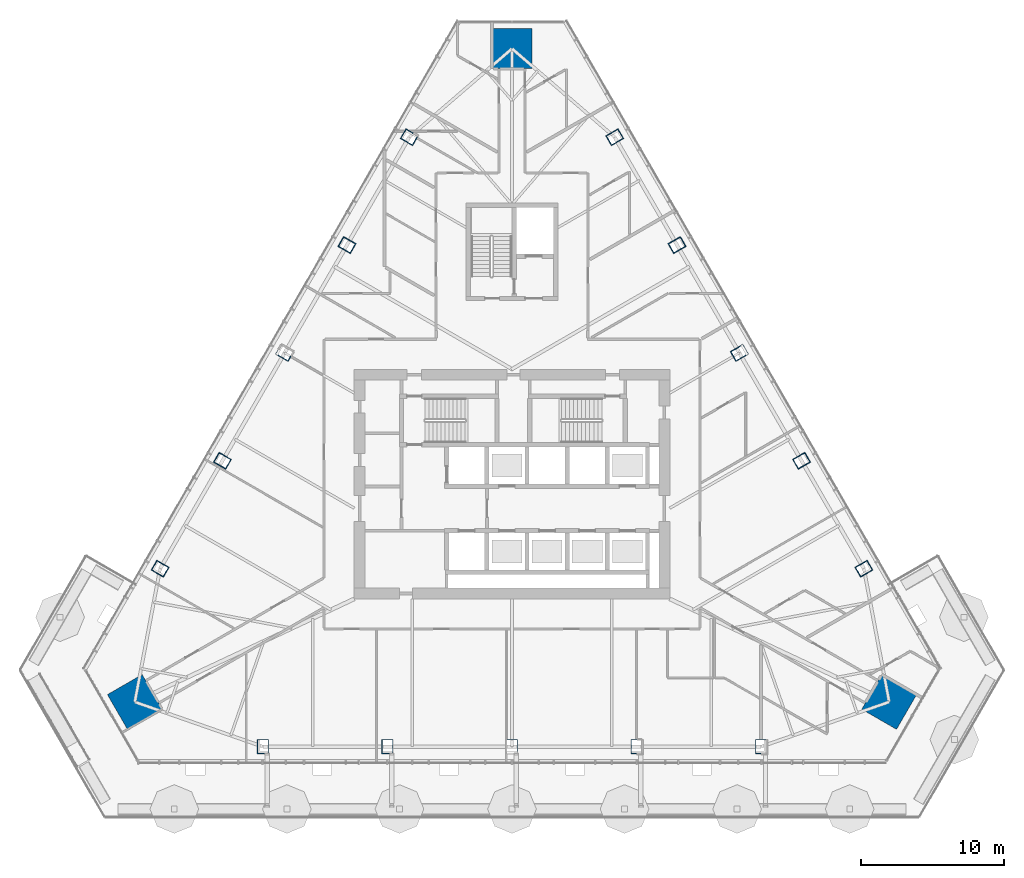
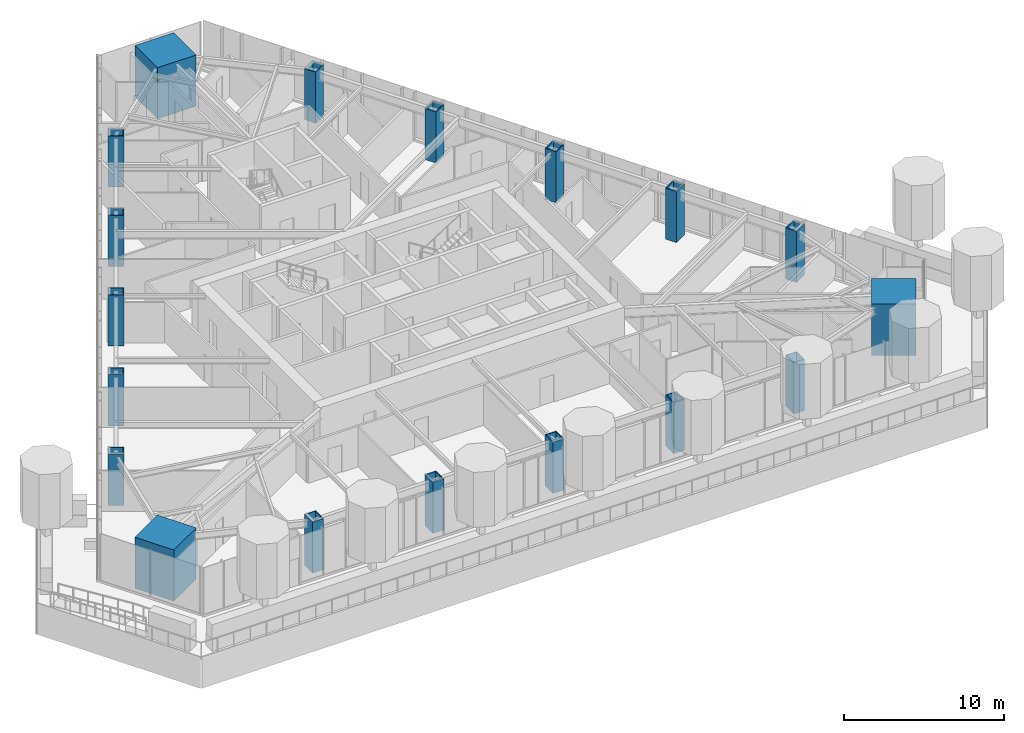
# One storey, part 1 of 24: 18 columns.
"""IFC4 building model written with IfcOpenShell, lengths in metres."""

from ifc_helpers import new_model, si_unit, direction, frame, origin, origin_2d, place, context, subcontext, project, spatial, rectangle, hollow_rectangle, extrude, material, material_profile, profile_set, type_object, element, save


model = new_model("IFC4")

# Units and contexts
model_context = context("Model", 3, precision=1e-05, world=origin(), true_north=direction((0.0, 1.0)))
body_context = subcontext(model_context, "Body", "Model", "MODEL_VIEW")
ifc_project = project(units=[si_unit("LENGTHUNIT", "METRE"), si_unit("AREAUNIT", "SQUARE_METRE"), si_unit("VOLUMEUNIT", "CUBIC_METRE"), si_unit("PLANEANGLEUNIT", "RADIAN"), si_unit("MASSUNIT", "GRAM", prefix="KILO")], contexts=[model_context])

# Site, building, storey
site_placement = place(None, origin())
site = spatial("IfcSite", under=ifc_project, at=site_placement, CompositionType="ELEMENT")
building_placement = place(site_placement, origin())
building = spatial("IfcBuilding", under=site, at=building_placement, Name="Firuza Gate Tower and Library", CompositionType="ELEMENT")
storey_placement = place(building_placement, frame((0.0, 0.0, 194.800048828125)))
storey = spatial("IfcBuildingStorey", under=building, at=storey_placement, Name="L45", CompositionType="ELEMENT", Elevation=194.800048828125)

# Columns
ifc_material_1 = material(Name="Steel S355", Category="steel")
ifc_material_profile_1 = material_profile(ifc_material_1, hollow_rectangle(XDim=0.800048828125, YDim=1.0, WallThickness=0.050048828125, at=origin_2d()))
ifc_profile_set_1 = profile_set([ifc_material_profile_1], Name="Steel S355")
column_type_1 = type_object("IfcColumnType", Name="BU1000x800x50 Composite box column", PredefinedType="COLUMN", material=ifc_profile_set_1)
for number, where, z_axis, x_axis, name in (
    (1, (57.62841796875, 56.698974609375, -0.00048828125), (0.0, 0.0, 1.0), (1.0, 0.0, 0.0), "Column S1 L45"),
    (2, (66.314208984375, 56.698974609375, -0.00048828125), (0.0, 0.0, 1.0), (1.0, 0.0, 0.0), "Column S2 L45"),
    (3, (75.0, 56.698974609375, -0.00048828125), (0.0, 0.0, 1.0), (1.0, 0.0, 0.0), "Column S3 L45"),
    (4, (83.685791015625, 56.698974609375, -0.00048828125), (0.0, 0.0, 1.0), (1.0, 0.0, 0.0), "Column S4 L45"),
    (5, (92.37158203125, 56.698974609375, -0.00048828125), (0.0, 0.0, 1.0), (1.0, 0.0, 0.0), "Column S5 L45"),
    (6, (99.53515625, 69.1064453125, -0.00048828125), (0.0, 0.0, 1.0), (-0.5, 0.866025403784, 0.0), "Column E1 L45"),
    (7, (95.192138671875, 76.62841796875, -0.00048828125), (0.0, 0.0, 1.0), (-0.5, 0.866025403784, 0.0), "Column E2 L45"),
    (8, (90.849365234375, 84.150634765625, -0.00048828125), (0.0, 0.0, 1.0), (-0.5, 0.866025403784, 0.0), "Column E3 L45"),
    (9, (86.50634765625, 91.672607421875, -0.00048828125), (0.0, 0.0, 1.0), (-0.5, 0.866025403784, 0.0), "Column E4 L45"),
    (10, (82.16357421875, 99.19482421875, -0.00048828125), (0.0, 0.0, 1.0), (-0.5, 0.866025403784, 0.0), "Column E5 L45"),
    (11, (67.83642578125, 99.19482421875, -0.00048828125), (0.0, 0.0, 1.0), (-0.5, -0.866025403784, 0.0), "Column W1 L45"),
    (12, (63.49365234375, 91.672607421875, -0.00048828125), (0.0, 0.0, 1.0), (-0.5, -0.866025403784, 0.0), "Column W2 L45"),
    (13, (59.150634765625, 84.150634765625, -0.00048828125), (0.0, 0.0, 1.0), (-0.5, -0.866025403784, 0.0), "Column W3 L45"),
    (14, (54.807861328125, 76.62841796875, -0.00048828125), (0.0, 0.0, 1.0), (-0.5, -0.866025403784, 0.0), "Column W4 L45"),
    (15, (50.46484375, 69.1064453125, -0.00048828125), (0.0, 0.0, 1.0), (-0.5, -0.866025403784, 0.0), "Column W5 L45"),
):
    element("IfcColumn", number, at=place(storey_placement, frame(where, z_axis=z_axis, x_axis=x_axis)), inside=storey, type_object=column_type_1, Name=name, PredefinedType="COLUMN", context=body_context, shape_type="SweptSolid", body=[
        extrude(hollow_rectangle(XDim=0.800048828125, YDim=1.0, WallThickness=0.050048828125, at=origin_2d()), origin(), (0.0, 0.0, 1.0), 3.900390625),
    ])
ifc_material_2 = material(Name="Concrete C80/95", Category="concrete")
ifc_material_profile_2 = material_profile(ifc_material_2, rectangle(XDim=2.800048828125, YDim=2.800048828125, at=origin_2d()))
ifc_profile_set_2 = profile_set([ifc_material_profile_2], Name="Concrete C80/95")
column_type_2 = type_object("IfcColumnType", Name="Mega column 2800x2800 C80/95", PredefinedType="COLUMN", material=ifc_profile_set_2)
for number, where, z_axis, x_axis, name in (
    (16, (101.298583984375, 59.816650390625, 0.0), (0.0, 0.0, 1.0), (0.5, 0.866025403784, 0.0), "Mega column SE L45"),
    (17, (75.0, 105.366943359375, 0.0), (0.0, 0.0, 1.0), (-1.0, 0.0, 0.0), "Mega column N L45"),
    (18, (48.701416015625, 59.816650390625, 0.0), (0.0, 0.0, 1.0), (0.5, -0.866025403784, 0.0), "Mega column SW L45"),
):
    element("IfcColumn", number, at=place(storey_placement, frame(where, z_axis=z_axis, x_axis=x_axis)), inside=storey, type_object=column_type_2, Name=name, PredefinedType="COLUMN", context=body_context, shape_type="SweptSolid", body=[
        extrude(rectangle(XDim=2.800048828125, YDim=2.800048828125, at=origin_2d()), origin(), (0.0, 0.0, 1.0), 3.89990234375),
    ])

save(model, "model.ifc")
